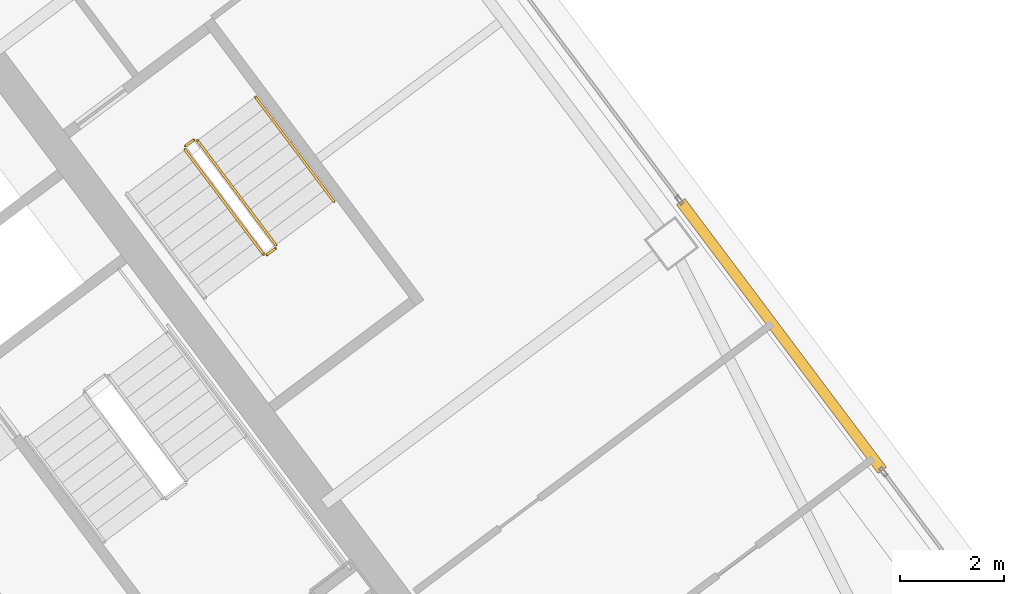
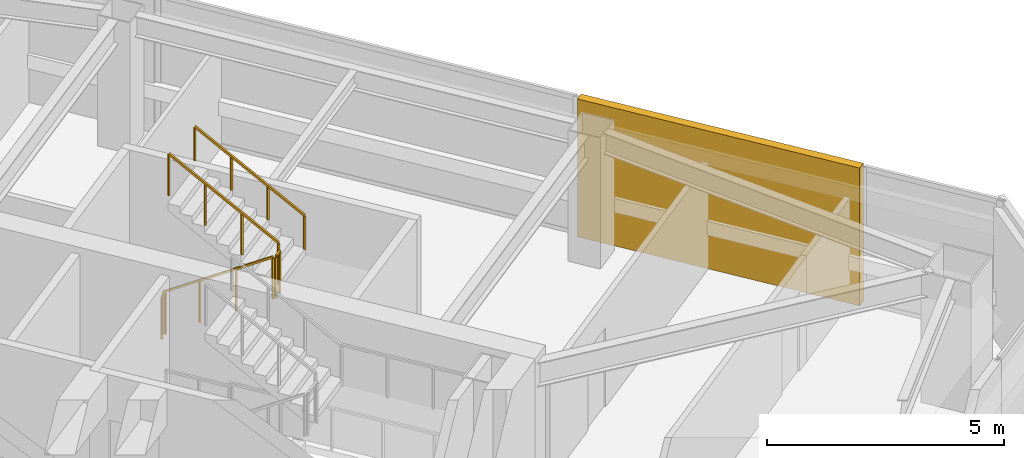
# One storey, part 40 of 41: 5 railings, 1 covering.
"""IFC4 building model written with IfcOpenShell, lengths in metres."""

import ifcopenshell
import ifcopenshell.guid

model = None  # the IFC model being written
_history = None  # IfcOwnerHistory: only IFC2X3 demands one
_inside = {}  # id of a spatial element -> (the spatial element, [elements in it])
_under = {}  # id of a project, library or spatial element -> (it, [spatial elements below it])
_declared = {}  # id of a project -> (the project, [libraries it declares])
_typed = {}  # id of a type object -> (the type object, [elements of that type])
_made_of = {}  # id of a material, layer set ... -> (it, [elements and type objects made of it])


def new_model(schema):
    """Start an empty IFC model of exactly this schema.

    Asked for "IFC4X3", IfcOpenShell would pick the latest addendum, in which some entities
    have other attributes; the version numbers below select the first issue.
    IFC2X3 requires an IfcOwnerHistory on every rooted entity: one is made here for all.
    """
    global model, _history
    if schema == "IFC4X3":
        model = ifcopenshell.file(schema_version=(4, 3, 0, 0))
    else:
        model = ifcopenshell.file(schema=schema)
    _inside.clear()
    _under.clear()
    _declared.clear()
    _typed.clear()
    _made_of.clear()
    _history = None
    if model.schema == "IFC2X3":
        org = make("IfcOrganization", Name="unknown")
        user = make(
            "IfcPersonAndOrganization",
            ThePerson=make("IfcPerson", FamilyName="unknown"),
            TheOrganization=org,
        )
        app = make(
            "IfcApplication",
            ApplicationDeveloper=org,
            Version="unknown",
            ApplicationFullName="unknown",
            ApplicationIdentifier="unknown",
        )
        _history = make(
            "IfcOwnerHistory",
            OwningUser=user,
            OwningApplication=app,
            ChangeAction="ADDED",
            CreationDate=0,
        )
    return model


def make(cls, **values):
    """One entity of the class cls with the attributes given. An attribute that is None is left unset."""
    return model.create_entity(
        cls, **{name: value for name, value in values.items() if value is not None}
    )


def rooted(cls, **values):
    """An entity with a GlobalId (a new one), such as an element, a storey or a relation."""
    return make(cls, GlobalId=ifcopenshell.guid.new(), OwnerHistory=_history, **values)


def si_unit(unit_type, name, prefix=None):
    """IfcSIUnit, for example si_unit("LENGTHUNIT", "METRE", prefix="MILLI")."""
    return make("IfcSIUnit", UnitType=unit_type, Prefix=prefix, Name=name)


def assignment(units):
    """IfcUnitAssignment: the units of a project."""
    return None if units is None else make("IfcUnitAssignment", Units=units)


def point(xyz):
    """IfcCartesianPoint."""
    return None if xyz is None else make("IfcCartesianPoint", Coordinates=xyz)


def direction(xyz):
    """IfcDirection."""
    return None if xyz is None else make("IfcDirection", DirectionRatios=xyz)


def frame(location, z_axis=None, x_axis=None):
    """IfcAxis2Placement3D, a coordinate frame: its origin and axes. An axis left out is left unset."""
    return make(
        "IfcAxis2Placement3D",
        Location=point(location),
        Axis=direction(z_axis),
        RefDirection=direction(x_axis),
    )


def frame_2d(location, x_axis=None):
    """IfcAxis2Placement2D, a coordinate frame in the plane: its origin and x axis."""
    return make(
        "IfcAxis2Placement2D", Location=point(location), RefDirection=direction(x_axis)
    )


def origin():
    """The frame at (0, 0, 0) with its axes left unset."""
    return frame((0.0, 0.0, 0.0))


def origin_2d():
    """The frame at (0, 0) in the plane with its x axis left unset."""
    return frame_2d((0.0, 0.0))


def place(relative_to, where):
    """IfcLocalPlacement: puts the frame where relative to a parent placement (None: the world)."""
    return make(
        "IfcLocalPlacement", PlacementRelTo=relative_to, RelativePlacement=where
    )


def context(
    kind, dimensions, precision=None, world=None, true_north=None, identifier=None
):
    """IfcGeometricRepresentationContext, for example the 3D "Model" context."""
    return make(
        "IfcGeometricRepresentationContext",
        ContextIdentifier=identifier,
        ContextType=kind,
        CoordinateSpaceDimension=dimensions,
        Precision=precision,
        WorldCoordinateSystem=world,
        TrueNorth=true_north,
    )


def subcontext(parent, identifier, kind, view, scale=None):
    """IfcGeometricRepresentationSubContext, for example "Body" below "Model"."""
    return make(
        "IfcGeometricRepresentationSubContext",
        ContextIdentifier=identifier,
        ContextType=kind,
        ParentContext=parent,
        TargetScale=scale,
        TargetView=view,
    )


def project(units=None, contexts=None):
    """IfcProject with its units and contexts."""
    return rooted(
        "IfcProject",
        Name="project",
        RepresentationContexts=contexts,
        UnitsInContext=assignment(units),
    )


def spatial(cls, under=None, at=None, **own):
    """A site, building, storey or space (cls), placed at a placement, below another one or the project."""
    s = rooted(cls, ObjectPlacement=at, **own)
    if under is not None:
        _under.setdefault(under.id(), (under, []))[1].append(s)
    return s


def profile(cls, at=None, kind="AREA", **sizes):
    """A parametric profile (cls). Its sizes go by their IFC names, for example OverallWidth=200.0."""
    return make(cls, ProfileType=kind, Position=at, **sizes)


def rectangle(**sizes):
    """IfcRectangleProfileDef."""
    return profile("IfcRectangleProfileDef", **sizes)


def extrude(swept, where, along, depth):
    """IfcExtrudedAreaSolid: the profile swept, set in the frame where, extruded along a direction by depth."""
    return make(
        "IfcExtrudedAreaSolid",
        SweptArea=swept,
        Position=where,
        ExtrudedDirection=direction(along),
        Depth=depth,
    )


def shape(context_of_items, identifier, shape_type, items):
    """IfcShapeRepresentation: the items that make up one representation, for example the "Body"."""
    return make(
        "IfcShapeRepresentation",
        ContextOfItems=context_of_items,
        RepresentationIdentifier=identifier,
        RepresentationType=shape_type,
        Items=items,
    )


def material(Name=None, Category=None):
    """IfcMaterial."""
    return make("IfcMaterial", Name=Name, Category=Category)


def layer(
    of_material, thickness, ventilated=None, Name=None, Category=None, Priority=None
):
    """IfcMaterialLayer: one layer of a wall or slab, of a material (None: an air gap)."""
    return make(
        "IfcMaterialLayer",
        Material=of_material,
        LayerThickness=thickness,
        IsVentilated=ventilated,
        Name=Name,
        Category=Category,
        Priority=Priority,
    )


def layer_set(layers, Name=None):
    """IfcMaterialLayerSet."""
    return make("IfcMaterialLayerSet", MaterialLayers=layers, LayerSetName=Name)


def made_of(thing, what):
    """Note that an element or type object is made of a material, layer set ...; save() writes the relation."""
    if what is not None:
        _made_of.setdefault(what.id(), (what, []))[1].append(thing)
    return thing


def type_object(cls, material=None, **own):
    """A type object (cls), such as IfcWallType, which elements share."""
    return made_of(rooted(cls, **own), material)


def element(
    cls,
    number,
    at=None,
    inside=None,
    cuts=None,
    type_object=None,
    material=None,
    context=None,
    identifier="Body",
    shape_type=None,
    held_by="IfcProductDefinitionShape",
    body=None,
    shapes=None,
    **own,
):
    """One element of the class cls, such as IfcWall. Its Tag is "e" and its number.

    at: its placement. inside: the storey or other place that contains it. cuts: it is an
    opening in that element (IfcRelVoidsElement). A single representation is given by context,
    identifier, shape_type and body (its items); several are given by shapes. held_by: the class
    of the entity that holds the representations. save() writes the other relations.
    """
    e = rooted(cls, Tag="e%d" % number, ObjectPlacement=at, **own)
    if body is not None:
        shapes = [shape(context, identifier, shape_type, body)]
    if shapes is not None:
        e.Representation = make(held_by, Representations=shapes)
    if inside is not None:
        _inside.setdefault(inside.id(), (inside, []))[1].append(e)
    if cuts is not None:
        rooted(
            "IfcRelVoidsElement", RelatingBuildingElement=cuts, RelatedOpeningElement=e
        )
    if type_object is not None:
        _typed.setdefault(type_object.id(), (type_object, []))[1].append(e)
    return made_of(e, material)


def aggregate(whole, parts):
    """IfcRelAggregates: a whole, such as a stair, and the parts it consists of."""
    return rooted("IfcRelAggregates", RelatingObject=whole, RelatedObjects=parts)


def save(model, path):
    """Write the relations noted so far, then the file.

    IfcRelAggregates (storeys below a building ...), IfcRelContainedInSpatialStructure (elements
    in a storey), IfcRelDefinesByType, IfcRelAssociatesMaterial and IfcRelDeclares: one each for
    every whole, place, type object, material and project.
    """
    for whole, parts in _under.values():
        aggregate(whole, parts)
    for where, things in _inside.values():
        rooted(
            "IfcRelContainedInSpatialStructure",
            RelatedElements=things,
            RelatingStructure=where,
        )
    for kind, things in _typed.values():
        rooted("IfcRelDefinesByType", RelatedObjects=things, RelatingType=kind)
    for what, things in _made_of.values():
        rooted("IfcRelAssociatesMaterial", RelatedObjects=things, RelatingMaterial=what)
    for by, libraries in _declared.values():
        rooted("IfcRelDeclares", RelatingContext=by, RelatedDefinitions=libraries)
    model.write(path)


model = new_model("IFC4")

# Units and contexts
model_context = context("Model", 3, precision=1e-05, world=origin(), true_north=direction((0.0, 1.0)))
body_context = subcontext(model_context, "Body", "Model", "MODEL_VIEW")
ifc_project = project(units=[si_unit("LENGTHUNIT", "METRE"), si_unit("AREAUNIT", "SQUARE_METRE"), si_unit("VOLUMEUNIT", "CUBIC_METRE"), si_unit("PLANEANGLEUNIT", "RADIAN"), si_unit("MASSUNIT", "GRAM", prefix="KILO")], contexts=[model_context])

# Site, building, storey
site_placement = place(None, origin())
site = spatial("IfcSite", under=ifc_project, at=site_placement, CompositionType="ELEMENT")
building_placement = place(site_placement, origin())
building = spatial("IfcBuilding", under=site, at=building_placement, Name="Tashvorn Skyway Center", CompositionType="ELEMENT")
storey_placement = place(building_placement, frame((0.0, 0.0, 171.199951171875)))
storey = spatial("IfcBuildingStorey", under=building, at=storey_placement, Name="L46", CompositionType="ELEMENT", Elevation=171.199951171875)

# Covering
ifc_material_1 = material(Name="Precast concrete C40/50", Category="concrete")
ifc_layer = layer(ifc_material_1, 0.199951171875)
ifc_layer_set = layer_set([ifc_layer], Name="Precast concrete C40/50")
covering_type = type_object("IfcCoveringType", Name="COV-BRACE-CLAD", PredefinedType="CLADDING", material=ifc_layer_set)
covering_placement = place(storey_placement, frame((132.283935546875, 35.587890625, 0.0), z_axis=(0.0, 0.0, 1.0), x_axis=(0.600000004945, -0.799999996291, 0.0)))
element("IfcCovering", 1, at=covering_placement, inside=storey, type_object=covering_type, Name="Tower 2 L46 East Unitised Curtain Wall Mega-Brace Cladding Band 2", PredefinedType="CLADDING", context=body_context, shape_type="SweptSolid", body=[
    extrude(rectangle(XDim=6.47998046875, YDim=0.199951171875, at=origin_2d()), origin(), (0.0, 0.0, 1.0), 3.550048828125),
])

# Railings
ifc_material_2 = material(Name="Brushed stainless steel 316", Category="steel")
railing_type_1 = type_object("IfcRailingType", Name="RAIL-HAND-920", PredefinedType="HANDRAIL", material=ifc_material_2)
railing_1_placement = place(storey_placement, frame((123.64794921875, 38.18603515625, 1.95263671875)))
element("IfcRailing", 2, at=railing_1_placement, inside=storey, type_object=railing_type_1, Name="L46 ST-T2-3 stair handrail 2", PredefinedType="HANDRAIL", context=body_context, shape_type="SweptSolid", body=[
    extrude(rectangle(XDim=0.048095703125, YDim=0.048095703125, at=origin_2d()), frame((0.0, 0.0, 0.8759765625), z_axis=(-0.506768818287, 0.675664481285, 0.535409071218), x_axis=(-0.79998837352, -0.60001550166, 0.0)), (0.0, 0.0, 1.0), 2.983642578125),
    extrude(rectangle(XDim=0.0419921875, YDim=0.0419921875, at=origin_2d()), origin(), (0.0, 0.0, 1.0), 0.851806640625),
    extrude(rectangle(XDim=0.0419921875, YDim=0.0419921875, at=origin_2d()), frame((-0.50390625, 0.671875, 0.532470703125)), (0.0, 0.0, 1.0), 0.851806640625),
    extrude(rectangle(XDim=0.0419921875, YDim=0.0419921875, at=origin_2d()), frame((-1.008056640625, 1.343994140625, 1.06494140625)), (0.0, 0.0, 1.0), 0.851806640625),
    extrude(rectangle(XDim=0.0419921875, YDim=0.0419921875, at=origin_2d()), frame((-1.511962890625, 2.015869140625, 1.597412109375)), (0.0, 0.0, 1.0), 0.851806640625),
])
ifc_material_3 = material(Name="Painted galvanized steel S355", Category="steel")
railing_type_2 = type_object("IfcRailingType", Name="RAIL-STGUARD-1100", PredefinedType="GUARDRAIL", material=ifc_material_3)
railing_2_placement = place(storey_placement, frame((120.77587890625, 39.181884765625, 0.177490234375)))
element("IfcRailing", 3, at=railing_2_placement, inside=storey, type_object=railing_type_2, Name="L46 ST-T2-3 stair guard 1", PredefinedType="GUARDRAIL", context=body_context, shape_type="SweptSolid", body=[
    extrude(rectangle(XDim=0.048095703125, YDim=0.048095703125, at=origin_2d()), frame((0.0, 0.0, 1.076171875), z_axis=(0.506807425148, -0.675606863004, 0.535445235739), x_axis=(0.799941867976, 0.600077501544, 0.0)), (0.0, 0.0, 1.0), 2.98388671875),
    extrude(rectangle(XDim=0.0419921875, YDim=0.0419921875, at=origin_2d()), origin(), (0.0, 0.0, 1.0), 1.052001953125),
    extrude(rectangle(XDim=0.0419921875, YDim=0.0419921875, at=origin_2d()), frame((0.504150390625, -0.671875, 0.532470703125)), (0.0, 0.0, 1.0), 1.052001953125),
    extrude(rectangle(XDim=0.0419921875, YDim=0.0419921875, at=origin_2d()), frame((1.008056640625, -1.343994140625, 1.065185546875)), (0.0, 0.0, 1.0), 1.052001953125),
    extrude(rectangle(XDim=0.0419921875, YDim=0.0419921875, at=origin_2d()), frame((1.51220703125, -2.015869140625, 1.59765625)), (0.0, 0.0, 1.0), 1.052001953125),
])
railing_3_placement = place(storey_placement, frame((122.35791015625, 37.156005859375, 1.775146484375)))
element("IfcRailing", 4, at=railing_3_placement, inside=storey, type_object=railing_type_2, Name="L46 ST-T2-3 stair guard 2", PredefinedType="GUARDRAIL", context=body_context, shape_type="SweptSolid", body=[
    extrude(rectangle(XDim=0.048095703125, YDim=0.048095703125, at=origin_2d()), frame((0.0, 0.0, 1.076171875), z_axis=(0.800585412921, 0.599218655098, 0.0), x_axis=(-0.599218655098, 0.800585412921, 0.0)), (0.0, 0.0, 1.0), 0.199951171875),
    extrude(rectangle(XDim=0.0419921875, YDim=0.0419921875, at=origin_2d()), origin(), (0.0, 0.0, 1.0), 1.052001953125),
    extrude(rectangle(XDim=0.0419921875, YDim=0.0419921875, at=origin_2d()), frame((0.16015625, 0.119873046875, 0.0)), (0.0, 0.0, 1.0), 1.052001953125),
])
railing_4_placement = place(storey_placement, frame((122.528076171875, 37.345947265625, 1.95263671875)))
element("IfcRailing", 5, at=railing_4_placement, inside=storey, type_object=railing_type_2, Name="L46 ST-T2-3 stair guard 3", PredefinedType="GUARDRAIL", context=body_context, shape_type="SweptSolid", body=[
    extrude(rectangle(XDim=0.048095703125, YDim=0.048095703125, at=origin_2d()), frame((0.0, 0.0, 1.076171875), z_axis=(-0.506740800098, 0.675708949977, 0.535379469569), x_axis=(-0.800023250257, -0.599968998406, 0.0)), (0.0, 0.0, 1.0), 2.983642578125),
    extrude(rectangle(XDim=0.0419921875, YDim=0.0419921875, at=origin_2d()), origin(), (0.0, 0.0, 1.0), 1.052001953125),
    extrude(rectangle(XDim=0.0419921875, YDim=0.0419921875, at=origin_2d()), frame((-0.50390625, 0.672119140625, 0.532470703125)), (0.0, 0.0, 1.0), 1.052001953125),
    extrude(rectangle(XDim=0.0419921875, YDim=0.0419921875, at=origin_2d()), frame((-1.008056640625, 1.343994140625, 1.06494140625)), (0.0, 0.0, 1.0), 1.052001953125),
    extrude(rectangle(XDim=0.0419921875, YDim=0.0419921875, at=origin_2d()), frame((-1.511962890625, 2.01611328125, 1.597412109375)), (0.0, 0.0, 1.0), 1.052001953125),
])
railing_5_placement = place(storey_placement, frame((120.785888671875, 39.251953125, 0.0)))
element("IfcRailing", 6, at=railing_5_placement, inside=storey, type_object=railing_type_2, Name="L46 ST-T2-3 stair guard 4", PredefinedType="GUARDRAIL", context=body_context, shape_type="SweptSolid", body=[
    extrude(rectangle(XDim=0.048095703125, YDim=0.048095703125, at=origin_2d()), frame((0.0, 0.0, 1.076171875), z_axis=(0.8, 0.6, 0.0), x_axis=(-0.6, 0.8, 0.0)), (0.0, 0.0, 1.0), 0.2001953125),
    extrude(rectangle(XDim=0.0419921875, YDim=0.0419921875, at=origin_2d()), origin(), (0.0, 0.0, 1.0), 1.052001953125),
    extrude(rectangle(XDim=0.0419921875, YDim=0.0419921875, at=origin_2d()), frame((0.16015625, 0.1201171875, 0.0)), (0.0, 0.0, 1.0), 1.052001953125),
])

save(model, "model.ifc")
